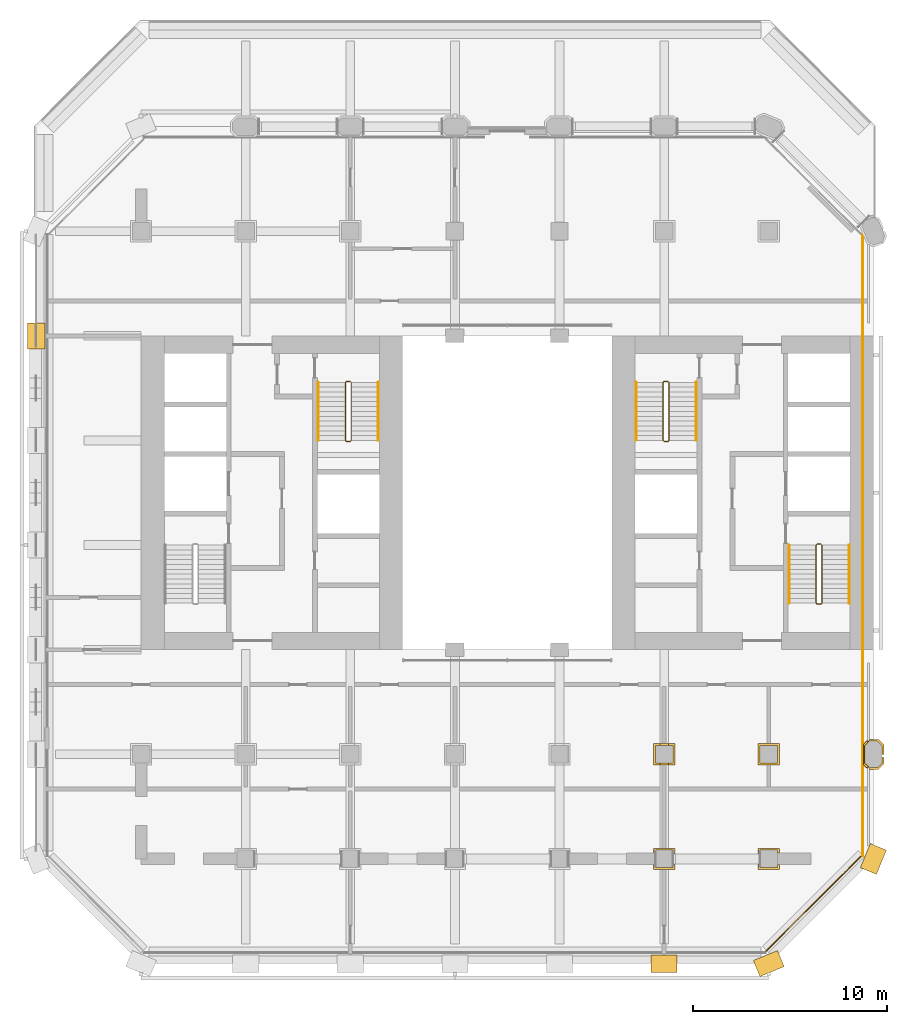
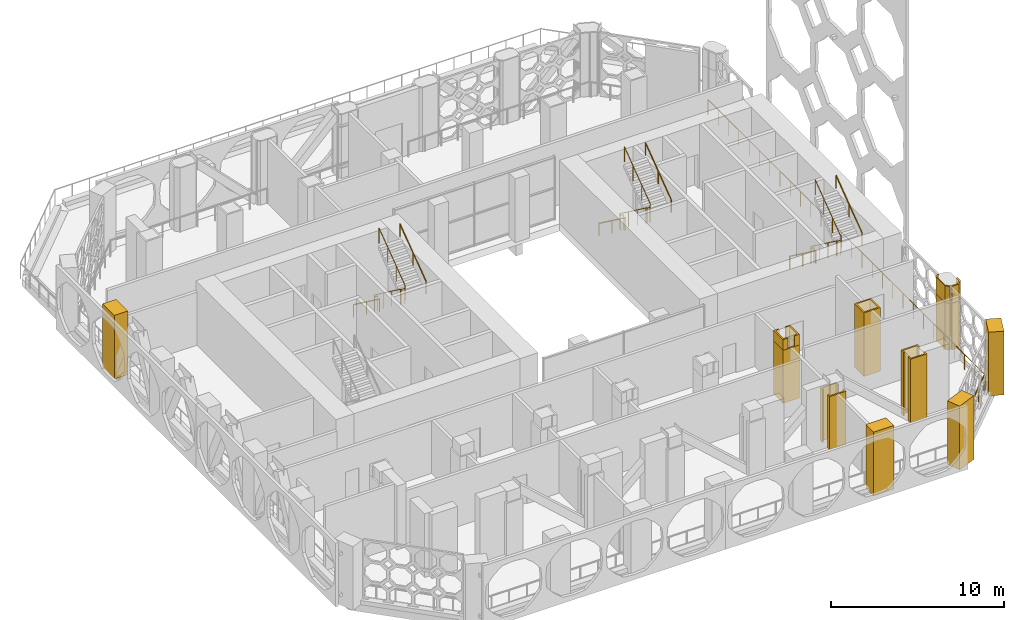
# One storey, part 15 of 17: 17 coverings, 11 railings.
"""IFC4 building model written with IfcOpenShell, lengths in metres."""

from ifc_helpers import new_model, si_unit, direction, frame, frame_2d, origin, origin_2d, place, context, subcontext, project, spatial, polyline, rectangle, circle, outline, extrude, material, layer, layer_set, type_object, element, save


model = new_model("IFC4")

# Units and contexts
model_context = context("Model", 3, precision=1e-05, world=origin(), true_north=direction((0.0, 1.0)))
body_context = subcontext(model_context, "Body", "Model", "MODEL_VIEW")
ifc_project = project(units=[si_unit("LENGTHUNIT", "METRE"), si_unit("AREAUNIT", "SQUARE_METRE"), si_unit("VOLUMEUNIT", "CUBIC_METRE"), si_unit("PLANEANGLEUNIT", "RADIAN"), si_unit("MASSUNIT", "GRAM", prefix="KILO")], contexts=[model_context])

# Site, building, storey
site_placement = place(None, origin())
site = spatial("IfcSite", under=ifc_project, at=site_placement, CompositionType="ELEMENT")
building_placement = place(site_placement, origin())
building = spatial("IfcBuilding", under=site, at=building_placement, Name="Tabaq Tower and Sports Hall", CompositionType="ELEMENT")
storey_placement = place(building_placement, frame((0.0, 0.0, 125.800048828125)))
storey = spatial("IfcBuildingStorey", under=building, at=storey_placement, Name="L30", CompositionType="ELEMENT", Elevation=125.800048828125)

# Coverings
ifc_material_1 = material(Name="Precast concrete C60/75", Category="concrete")
ifc_layer = layer(ifc_material_1, 0.10009765625)
ifc_layer_set = layer_set([ifc_layer], Name="Column cladding 100")
covering_type_1 = type_object("IfcCoveringType", Name="Column cladding 100", PredefinedType="CLADDING", material=ifc_layer_set)
covering_1_placement = place(storey_placement, origin())
element("IfcCovering", 1, at=covering_1_placement, inside=storey, type_object=covering_type_1, Name="Column cladding L30 CC-7B-S1", PredefinedType="CLADDING", context=body_context, shape_type="SweptSolid", body=[
    extrude(outline(polyline([(32.94970703125, 4.850341796875), (31.850341796875, 4.850341796875), (31.850341796875, 5.099609375), (31.934814453125, 5.099609375), (31.934814453125, 4.999755859375), (31.94970703125, 4.999755859375), (31.94970703125, 4.94970703125), (32.850341796875, 4.94970703125), (32.850341796875, 4.999755859375), (32.865234375, 4.999755859375), (32.865234375, 5.149658203125), (32.94970703125, 5.149658203125), (32.94970703125, 4.850341796875)])), origin(), (0.0, 0.0, 1.0), 3.75),
])
covering_2_placement = place(storey_placement, origin())
element("IfcCovering", 2, at=covering_2_placement, inside=storey, type_object=covering_type_1, Name="Column cladding L30 CC-7B-S1 2", PredefinedType="CLADDING", context=body_context, shape_type="SweptSolid", body=[
    extrude(outline(polyline([(32.94970703125, 5.94970703125), (32.94970703125, 5.650390625), (32.865234375, 5.650390625), (32.865234375, 5.80029296875), (32.850341796875, 5.80029296875), (32.850341796875, 5.850341796875), (31.94970703125, 5.850341796875), (31.94970703125, 5.80029296875), (31.934814453125, 5.80029296875), (31.934814453125, 5.7001953125), (31.850341796875, 5.7001953125), (31.850341796875, 5.94970703125), (32.94970703125, 5.94970703125)])), origin(), (0.0, 0.0, 1.0), 3.75),
])
covering_3_placement = place(storey_placement, origin())
element("IfcCovering", 3, at=covering_3_placement, inside=storey, type_object=covering_type_1, Name="Column cladding L30 CC-7C-S1", PredefinedType="CLADDING", context=body_context, shape_type="SweptSolid", body=[
    extrude(outline(polyline([(31.850341796875, 11.349609375), (32.94970703125, 11.349609375), (32.94970703125, 10.250244140625), (31.850341796875, 10.250244140625), (31.850341796875, 11.349609375)]), holes=[polyline([(32.850341796875, 10.349609375), (32.850341796875, 11.250244140625), (31.94970703125, 11.250244140625), (31.94970703125, 10.349609375), (32.850341796875, 10.349609375)])]), origin(), (0.0, 0.0, 1.0), 3.75),
])
covering_4_placement = place(storey_placement, frame((0.0, 0.0, 3.75)))
element("IfcCovering", 4, at=covering_4_placement, inside=storey, type_object=covering_type_1, Name="Column cladding L30 CC-7C-S1 head", PredefinedType="CLADDING", context=body_context, shape_type="SweptSolid", body=[
    extrude(outline(polyline([(32.62548828125, 10.349365234375), (32.8505859375, 10.349365234375), (32.8505859375, 11.25048828125), (32.62548828125, 11.25048828125), (32.62548828125, 11.349365234375), (32.949462890625, 11.349365234375), (32.949462890625, 10.25048828125), (32.62548828125, 10.25048828125), (32.62548828125, 10.349365234375)])), origin(), (0.0, 0.0, 1.0), 0.75),
])
covering_5_placement = place(storey_placement, frame((0.0, 0.0, 3.75)))
element("IfcCovering", 5, at=covering_5_placement, inside=storey, type_object=covering_type_1, Name="Column cladding L30 CC-7C-S1 head 2", PredefinedType="CLADDING", context=body_context, shape_type="SweptSolid", body=[
    extrude(outline(polyline([(32.17431640625, 10.349365234375), (32.17431640625, 10.25048828125), (31.8505859375, 10.25048828125), (31.8505859375, 11.349365234375), (32.17431640625, 11.349365234375), (32.17431640625, 11.25048828125), (31.949462890625, 11.25048828125), (31.949462890625, 10.349365234375), (32.17431640625, 10.349365234375)])), origin(), (0.0, 0.0, 1.0), 0.75),
])
covering_6_placement = place(storey_placement, origin())
element("IfcCovering", 6, at=covering_6_placement, inside=storey, type_object=covering_type_1, Name="Column cladding L30 CC-8B-S1", PredefinedType="CLADDING", context=body_context, shape_type="SweptSolid", body=[
    extrude(outline(polyline([(38.349609375, 4.850341796875), (37.250244140625, 4.850341796875), (37.250244140625, 5.149658203125), (37.334716796875, 5.149658203125), (37.334716796875, 4.999755859375), (37.349609375, 4.999755859375), (37.349609375, 4.94970703125), (38.250244140625, 4.94970703125), (38.250244140625, 5.099609375), (38.349609375, 5.099609375), (38.349609375, 4.850341796875)])), origin(), (0.0, 0.0, 1.0), 4.5),
])
covering_7_placement = place(storey_placement, origin())
element("IfcCovering", 7, at=covering_7_placement, inside=storey, type_object=covering_type_1, Name="Column cladding L30 CC-8B-S1 2", PredefinedType="CLADDING", context=body_context, shape_type="SweptSolid", body=[
    extrude(outline(polyline([(38.349609375, 5.94970703125), (38.349609375, 5.7001953125), (38.250244140625, 5.7001953125), (38.250244140625, 5.850341796875), (37.349609375, 5.850341796875), (37.349609375, 5.80029296875), (37.334716796875, 5.80029296875), (37.334716796875, 5.650390625), (37.250244140625, 5.650390625), (37.250244140625, 5.94970703125), (38.349609375, 5.94970703125)])), origin(), (0.0, 0.0, 1.0), 4.5),
])
covering_8_placement = place(storey_placement, origin())
element("IfcCovering", 8, at=covering_8_placement, inside=storey, type_object=covering_type_1, Name="Column cladding L30 CC-8C-S1", PredefinedType="CLADDING", context=body_context, shape_type="SweptSolid", body=[
    extrude(outline(polyline([(37.250244140625, 11.349609375), (38.349609375, 11.349609375), (38.349609375, 10.250244140625), (37.250244140625, 10.250244140625), (37.250244140625, 11.349609375)]), holes=[polyline([(38.250244140625, 10.349609375), (38.250244140625, 11.250244140625), (37.349609375, 11.250244140625), (37.349609375, 10.349609375), (38.250244140625, 10.349609375)])]), origin(), (0.0, 0.0, 1.0), 4.5),
])
covering_9_placement = place(storey_placement, origin())
element("IfcCovering", 9, at=covering_9_placement, inside=storey, type_object=covering_type_1, Name="Column cladding L30 PC-9C-S1", PredefinedType="CLADDING", context=body_context, shape_type="SweptSolid", body=[
    extrude(outline(polyline([(43.46630859375, 11.57470703125), (43.749755859375, 11.291259765625), (43.749755859375, 10.80029296875), (43.650390625, 10.80029296875), (43.650390625, 11.250244140625), (43.425048828125, 11.475341796875), (43.01025390625, 11.475341796875), (43.01025390625, 11.57470703125), (43.46630859375, 11.57470703125)])), origin(), (0.0, 0.0, 1.0), 3.300048828125),
])
covering_10_placement = place(storey_placement, origin())
element("IfcCovering", 10, at=covering_10_placement, inside=storey, type_object=covering_type_1, Name="Column cladding L30 PC-9C-S1 2", PredefinedType="CLADDING", context=body_context, shape_type="SweptSolid", body=[
    extrude(outline(polyline([(42.690185546875, 10.268798828125), (42.690185546875, 11.331298828125), (42.8896484375, 11.53076171875), (42.8896484375, 11.474609375), (42.974365234375, 11.474609375), (42.749755859375, 11.250244140625), (42.749755859375, 10.349853515625), (42.974365234375, 10.125244140625), (42.8896484375, 10.125244140625), (42.8896484375, 10.0693359375), (42.690185546875, 10.268798828125)])), origin(), (0.0, 0.0, 1.0), 3.300048828125),
])
covering_11_placement = place(storey_placement, origin())
element("IfcCovering", 11, at=covering_11_placement, inside=storey, type_object=covering_type_1, Name="Column cladding L30 PC-9C-S1 3", PredefinedType="CLADDING", context=body_context, shape_type="SweptSolid", body=[
    extrude(outline(polyline([(43.01025390625, 10.025390625), (43.01025390625, 10.124755859375), (43.425048828125, 10.124755859375), (43.650390625, 10.349853515625), (43.650390625, 10.649658203125), (43.749755859375, 10.64453125), (43.749755859375, 10.30859375), (43.46630859375, 10.025390625), (43.01025390625, 10.025390625)])), origin(), (0.0, 0.0, 1.0), 3.300048828125),
])
covering_12_placement = place(storey_placement, frame((0.0, 0.0, 3.300048828125)))
element("IfcCovering", 12, at=covering_12_placement, inside=storey, type_object=covering_type_1, Name="Column cladding L30 PC-9C-S1 head", PredefinedType="CLADDING", context=body_context, shape_type="SweptSolid", body=[
    extrude(outline(polyline([(42.690185546875, 11.331298828125), (42.8896484375, 11.53076171875), (42.8896484375, 11.474609375), (42.974365234375, 11.474609375), (42.749755859375, 11.250244140625), (42.749755859375, 10.349853515625), (42.974365234375, 10.125244140625), (42.8896484375, 10.125244140625), (42.8896484375, 10.0693359375), (42.690185546875, 10.268798828125), (42.690185546875, 11.331298828125)])), origin(), (0.0, 0.0, 1.0), 1.199951171875),
])
covering_13_placement = place(storey_placement, frame((0.0, 0.0, 3.300048828125)))
element("IfcCovering", 13, at=covering_13_placement, inside=storey, type_object=covering_type_1, Name="Column cladding L30 PC-9C-S1 head 2", PredefinedType="CLADDING", context=body_context, shape_type="SweptSolid", body=[
    extrude(outline(polyline([(43.01025390625, 10.124755859375), (43.425048828125, 10.124755859375), (43.650390625, 10.349853515625), (43.650390625, 10.649658203125), (43.749755859375, 10.64453125), (43.749755859375, 10.30859375), (43.46630859375, 10.025390625), (43.01025390625, 10.025390625), (43.01025390625, 10.124755859375)])), origin(), (0.0, 0.0, 1.0), 1.199951171875),
])

# Railings
ifc_material_2 = material(Name="Stainless steel S316 and laminated glass", Category="steel")
railing_type_1 = type_object("IfcRailingType", Name="Guard 1100 steel and glass", PredefinedType="GUARDRAIL", material=ifc_material_2)
railing_1_placement = place(storey_placement, frame((37.671142578125, 0.64892578125, 0.0)))
element("IfcRailing", 14, at=railing_1_placement, inside=storey, type_object=railing_type_1, Name="Guard L30 SE", PredefinedType="GUARDRAIL", context=body_context, shape_type="SweptSolid", body=[
    extrude(circle(Radius=0.02490234375, at=origin_2d()), frame((0.0, 0.0, 1.0751953125), z_axis=(0.707106781187, 0.707106781187, 0.0), x_axis=(-0.707106781187, 0.707106781187, 0.0)), (0.0, 0.0, 1.0), 6.901123046875),
    extrude(circle(Radius=0.02001953125, at=origin_2d()), origin(), (0.0, 0.0, 1.0), 1.050048828125),
    extrude(circle(Radius=0.02001953125, at=origin_2d()), frame((0.813232421875, 0.813232421875, 0.0)), (0.0, 0.0, 1.0), 1.050048828125),
    extrude(circle(Radius=0.02001953125, at=origin_2d()), frame((1.626708984375, 1.626708984375, 0.0)), (0.0, 0.0, 1.0), 1.050048828125),
    extrude(circle(Radius=0.02001953125, at=origin_2d()), frame((2.43994140625, 2.43994140625, 0.0)), (0.0, 0.0, 1.0), 1.050048828125),
    extrude(circle(Radius=0.02001953125, at=origin_2d()), frame((3.253173828125, 3.253173828125, 0.0)), (0.0, 0.0, 1.0), 1.050048828125),
    extrude(circle(Radius=0.02001953125, at=origin_2d()), frame((4.066650390625, 4.066650390625, 0.0)), (0.0, 0.0, 1.0), 1.050048828125),
    extrude(circle(Radius=0.02001953125, at=origin_2d()), frame((4.8798828125, 4.8798828125, 0.0)), (0.0, 0.0, 1.0), 1.050048828125),
])
railing_2_placement = place(storey_placement, frame((42.64990234375, 5.565673828125, 0.0)))
element("IfcRailing", 15, at=railing_2_placement, inside=storey, type_object=railing_type_1, Name="Guard L30 E", PredefinedType="GUARDRAIL", context=body_context, shape_type="SweptSolid", body=[
    extrude(circle(Radius=0.02490234375, at=origin_2d()), frame((0.0, 0.0, 1.0751953125), z_axis=(0.0, 1.0, 0.0), x_axis=(-1.0, 0.0, 0.0)), (0.0, 0.0, 1.0), 32.068603515625),
    extrude(circle(Radius=0.02001953125, at=origin_2d()), origin(), (0.0, 0.0, 1.0), 1.050048828125),
    extrude(circle(Radius=0.02001953125, at=origin_2d()), frame((0.0, 1.187744140625, 0.0)), (0.0, 0.0, 1.0), 1.050048828125),
    extrude(circle(Radius=0.02001953125, at=origin_2d()), frame((0.0, 2.37548828125, 0.0)), (0.0, 0.0, 1.0), 1.050048828125),
    extrude(circle(Radius=0.02001953125, at=origin_2d()), frame((0.0, 3.563232421875, 0.0)), (0.0, 0.0, 1.0), 1.050048828125),
    extrude(circle(Radius=0.02001953125, at=origin_2d()), frame((0.0, 4.7509765625, 0.0)), (0.0, 0.0, 1.0), 1.050048828125),
    extrude(circle(Radius=0.02001953125, at=origin_2d()), frame((0.0, 5.938720703125, 0.0)), (0.0, 0.0, 1.0), 1.050048828125),
    extrude(circle(Radius=0.02001953125, at=origin_2d()), frame((0.0, 7.12646484375, 0.0)), (0.0, 0.0, 1.0), 1.050048828125),
    extrude(circle(Radius=0.02001953125, at=origin_2d()), frame((0.0, 8.31396484375, 0.0)), (0.0, 0.0, 1.0), 1.050048828125),
    extrude(circle(Radius=0.02001953125, at=origin_2d()), frame((0.0, 9.501708984375, 0.0)), (0.0, 0.0, 1.0), 1.050048828125),
    extrude(circle(Radius=0.02001953125, at=origin_2d()), frame((0.0, 10.689453125, 0.0)), (0.0, 0.0, 1.0), 1.050048828125),
    extrude(circle(Radius=0.02001953125, at=origin_2d()), frame((0.0, 11.877197265625, 0.0)), (0.0, 0.0, 1.0), 1.050048828125),
    extrude(circle(Radius=0.02001953125, at=origin_2d()), frame((0.0, 13.06494140625, 0.0)), (0.0, 0.0, 1.0), 1.050048828125),
    extrude(circle(Radius=0.02001953125, at=origin_2d()), frame((0.0, 14.252685546875, 0.0)), (0.0, 0.0, 1.0), 1.050048828125),
    extrude(circle(Radius=0.02001953125, at=origin_2d()), frame((0.0, 15.4404296875, 0.0)), (0.0, 0.0, 1.0), 1.050048828125),
    extrude(circle(Radius=0.02001953125, at=origin_2d()), frame((0.0, 16.628173828125, 0.0)), (0.0, 0.0, 1.0), 1.050048828125),
    extrude(circle(Radius=0.02001953125, at=origin_2d()), frame((0.0, 17.81591796875, 0.0)), (0.0, 0.0, 1.0), 1.050048828125),
    extrude(circle(Radius=0.02001953125, at=origin_2d()), frame((0.0, 19.003662109375, 0.0)), (0.0, 0.0, 1.0), 1.050048828125),
    extrude(circle(Radius=0.02001953125, at=origin_2d()), frame((0.0, 20.19140625, 0.0)), (0.0, 0.0, 1.0), 1.050048828125),
    extrude(circle(Radius=0.02001953125, at=origin_2d()), frame((0.0, 21.379150390625, 0.0)), (0.0, 0.0, 1.0), 1.050048828125),
    extrude(circle(Radius=0.02001953125, at=origin_2d()), frame((0.0, 22.56689453125, 0.0)), (0.0, 0.0, 1.0), 1.050048828125),
    extrude(circle(Radius=0.02001953125, at=origin_2d()), frame((0.0, 23.754638671875, 0.0)), (0.0, 0.0, 1.0), 1.050048828125),
    extrude(circle(Radius=0.02001953125, at=origin_2d()), frame((0.0, 24.942138671875, 0.0)), (0.0, 0.0, 1.0), 1.050048828125),
    extrude(circle(Radius=0.02001953125, at=origin_2d()), frame((0.0, 26.1298828125, 0.0)), (0.0, 0.0, 1.0), 1.050048828125),
    extrude(circle(Radius=0.02001953125, at=origin_2d()), frame((0.0, 27.317626953125, 0.0)), (0.0, 0.0, 1.0), 1.050048828125),
    extrude(circle(Radius=0.02001953125, at=origin_2d()), frame((0.0, 28.50537109375, 0.0)), (0.0, 0.0, 1.0), 1.050048828125),
    extrude(circle(Radius=0.02001953125, at=origin_2d()), frame((0.0, 29.693115234375, 0.0)), (0.0, 0.0, 1.0), 1.050048828125),
    extrude(circle(Radius=0.02001953125, at=origin_2d()), frame((0.0, 30.880859375, 0.0)), (0.0, 0.0, 1.0), 1.050048828125),
    extrude(circle(Radius=0.02001953125, at=origin_2d()), frame((0.0, 32.068603515625, 0.0)), (0.0, 0.0, 1.0), 1.050048828125),
])

# Coverings
ifc_material_3 = material(Name="White precast concrete C60/75", Category="concrete")
covering_type_2 = type_object("IfcCoveringType", Name="Pier cladding hung 1350x900", PredefinedType="CLADDING", material=ifc_material_3)
for number, where, z_axis, x_axis, name in (
    (16, (0.0, 33.074951171875, 0.0), (0.0, 0.0, 1.0), (0.0, -1.0, 0.0), "Hung pier cladding 0/6"),
    (17, (31.72509765625, 0.0, 0.0), (0.0, 0.0, 1.0), (1.0, 0.0, 0.0), "Hung pier cladding 6/0"),
):
    element("IfcCovering", number, at=place(storey_placement, frame(where, z_axis=z_axis, x_axis=x_axis)), inside=storey, type_object=covering_type_2, Name=name, PredefinedType="CLADDING", context=body_context, shape_type="SweptSolid", body=[
        extrude(rectangle(XDim=1.349853515625, YDim=0.89990234375, at=frame_2d((0.6748046875, 0.0))), origin(), (0.0, 0.0, 1.0), 4.5),
    ])
for number, where, z_axis, x_axis, name in (
    (18, (37.17626953125, -0.25830078125, 0.0), (0.0, 0.0, 1.0), (0.923893411637, 0.382649923473, 0.0), "Hung pier cladding 7/0"),
    (19, (42.941650390625, 4.7763671875, 0.0), (0.0, 0.0, 1.0), (0.382649923473, 0.923893411637, 0.0), "Hung pier cladding 8/1"),
):
    element("IfcCovering", number, at=place(storey_placement, frame(where, z_axis=z_axis, x_axis=x_axis)), inside=storey, type_object=covering_type_2, Name=name, PredefinedType="CLADDING", context=body_context, shape_type="SweptSolid", body=[
        extrude(rectangle(XDim=1.35009765625, YDim=0.89990234375, at=frame_2d((0.675048828125, 0.0))), origin(), (0.0, 0.0, 1.0), 4.5),
    ])

# Railings
ifc_material_4 = material(Name="Stainless steel", Category="steel")
railing_type_2 = type_object("IfcRailingType", Name="Stair guard", PredefinedType="GUARDRAIL", material=ifc_material_4)
railing_3_placement = place(storey_placement, frame((16.199951171875, 30.050048828125, 0.0)))
element("IfcRailing", 20, at=railing_3_placement, inside=storey, type_object=railing_type_2, Name="L30 ST2 stair guard 1", PredefinedType="GUARDRAIL", context=body_context, shape_type="SweptSolid", body=[
    extrude(circle(Radius=0.02392578125, at=origin_2d()), frame((0.0, 0.0, 1.076171875), z_axis=(-1.0, 0.0, 0.0), x_axis=(0.0, -1.0, 0.0)), (0.0, 0.0, 1.0), 0.199951171875),
    extrude(circle(Radius=0.02392578125, at=origin_2d()), frame((-0.199951171875, 0.0, 1.076171875), z_axis=(-0.253185614162, -0.253185614162, 0.933699142959), x_axis=(0.707106781187, -0.707106781187, 0.0)), (0.0, 0.0, 1.0), 0.19775390625),
    extrude(circle(Radius=0.02392578125, at=origin_2d()), frame((-0.25, -0.050048828125, 1.2607421875), z_axis=(0.0, -0.804440004972, 0.594033903411), x_axis=(1.0, 0.0, 0.0)), (0.0, 0.0, 1.0), 3.729248046875),
    extrude(circle(Radius=0.02392578125, at=origin_2d()), frame((-0.25, -3.050048828125, 3.47607421875), z_axis=(0.707106781187, -0.707106781187, 0.0), x_axis=(0.707106781187, 0.707106781187, 0.0)), (0.0, 0.0, 1.0), 0.07080078125),
    extrude(circle(Radius=0.02392578125, at=origin_2d()), frame((-0.199951171875, -3.10009765625, 3.47607421875), z_axis=(1.0, 0.0, 0.0), x_axis=(0.0, 1.0, 0.0)), (0.0, 0.0, 1.0), 0.199951171875),
    extrude(circle(Radius=0.02392578125, at=origin_2d()), frame((0.0, -3.10009765625, 3.47607421875), z_axis=(0.253185614162, 0.253185614162, 0.933699142959), x_axis=(-0.707106781187, 0.707106781187, 0.0)), (0.0, 0.0, 1.0), 0.19775390625),
    extrude(circle(Radius=0.02392578125, at=origin_2d()), frame((0.050048828125, -3.050048828125, 3.66064453125), z_axis=(0.0, 0.804408721428, 0.594076265214), x_axis=(-1.0, 0.0, 0.0)), (0.0, 0.0, 1.0), 3.7294921875),
    extrude(circle(Radius=0.02099609375, at=origin_2d()), origin(), (0.0, 0.0, 1.0), 1.052001953125),
    extrude(circle(Radius=0.02099609375, at=origin_2d()), frame((-0.199951171875, 0.0, 0.0)), (0.0, 0.0, 1.0), 1.052001953125),
    extrude(circle(Radius=0.02099609375, at=origin_2d()), frame((-0.25, -0.050048828125, 0.1845703125)), (0.0, 0.0, 1.0), 1.052001953125),
    extrude(circle(Radius=0.02099609375, at=origin_2d()), frame((-0.25, -1.050048828125, 0.923095703125)), (0.0, 0.0, 1.0), 1.052001953125),
    extrude(circle(Radius=0.02099609375, at=origin_2d()), frame((-0.25, -2.050048828125, 1.661376953125)), (0.0, 0.0, 1.0), 1.052001953125),
    extrude(circle(Radius=0.02099609375, at=origin_2d()), frame((-0.25, -3.050048828125, 2.39990234375)), (0.0, 0.0, 1.0), 1.052001953125),
    extrude(circle(Radius=0.02099609375, at=origin_2d()), frame((-0.199951171875, -3.10009765625, 2.39990234375)), (0.0, 0.0, 1.0), 1.052001953125),
    extrude(circle(Radius=0.02099609375, at=origin_2d()), frame((0.0, -3.10009765625, 2.39990234375)), (0.0, 0.0, 1.0), 1.052001953125),
    extrude(circle(Radius=0.02099609375, at=origin_2d()), frame((0.050048828125, -3.050048828125, 2.58447265625)), (0.0, 0.0, 1.0), 1.052001953125),
    extrude(circle(Radius=0.02099609375, at=origin_2d()), frame((0.050048828125, -2.050048828125, 3.322998046875)), (0.0, 0.0, 1.0), 1.052001953125),
    extrude(circle(Radius=0.02099609375, at=origin_2d()), frame((0.050048828125, -1.050048828125, 4.0615234375)), (0.0, 0.0, 1.0), 1.052001953125),
    extrude(circle(Radius=0.02099609375, at=origin_2d()), frame((0.050048828125, -0.050048828125, 4.800048828125)), (0.0, 0.0, 1.0), 1.052001953125),
])
railing_4_placement = place(storey_placement, frame((40.5, 21.64990234375, 0.0)))
element("IfcRailing", 21, at=railing_4_placement, inside=storey, type_object=railing_type_2, Name="L30 ST3 stair guard 1", PredefinedType="GUARDRAIL", context=body_context, shape_type="SweptSolid", body=[
    extrude(circle(Radius=0.02392578125, at=origin_2d()), frame((0.0, 0.0, 1.076171875), z_axis=(-1.0, 0.0, 0.0), x_axis=(0.0, -1.0, 0.0)), (0.0, 0.0, 1.0), 0.199951171875),
    extrude(circle(Radius=0.02392578125, at=origin_2d()), frame((-0.199951171875, 0.0, 1.076171875), z_axis=(-0.253264628505, -0.252029191293, 0.933990532438), x_axis=(0.705375805398, -0.708833529934, 0.0)), (0.0, 0.0, 1.0), 0.197509765625),
    extrude(circle(Radius=0.02392578125, at=origin_2d()), frame((-0.25, -0.0498046875, 1.2607421875), z_axis=(0.0, -0.804440004972, 0.594033903411), x_axis=(1.0, 0.0, 0.0)), (0.0, 0.0, 1.0), 3.729248046875),
    extrude(circle(Radius=0.02392578125, at=origin_2d()), frame((-0.25, -3.0498046875, 3.47607421875), z_axis=(0.707106781187, -0.707106781187, 0.0), x_axis=(0.707106781187, 0.707106781187, 0.0)), (0.0, 0.0, 1.0), 0.07080078125),
    extrude(circle(Radius=0.02392578125, at=origin_2d()), frame((-0.199951171875, -3.099853515625, 3.47607421875), z_axis=(1.0, 0.0, 0.0), x_axis=(0.0, 1.0, 0.0)), (0.0, 0.0, 1.0), 0.199951171875),
    extrude(circle(Radius=0.02392578125, at=origin_2d()), frame((0.0, -3.099853515625, 3.47607421875), z_axis=(0.253185614162, 0.253185614162, 0.933699142959), x_axis=(-0.707106781187, 0.707106781187, 0.0)), (0.0, 0.0, 1.0), 0.19775390625),
    extrude(circle(Radius=0.02392578125, at=origin_2d()), frame((0.050048828125, -3.0498046875, 3.66064453125), z_axis=(0.0, 0.804408721428, 0.594076265214), x_axis=(-1.0, 0.0, 0.0)), (0.0, 0.0, 1.0), 3.7294921875),
    extrude(circle(Radius=0.02099609375, at=origin_2d()), origin(), (0.0, 0.0, 1.0), 1.052001953125),
    extrude(circle(Radius=0.02099609375, at=origin_2d()), frame((-0.199951171875, 0.0, 0.0)), (0.0, 0.0, 1.0), 1.052001953125),
    extrude(circle(Radius=0.02099609375, at=origin_2d()), frame((-0.25, -0.0498046875, 0.1845703125)), (0.0, 0.0, 1.0), 1.052001953125),
    extrude(circle(Radius=0.02099609375, at=origin_2d()), frame((-0.25, -1.0498046875, 0.923095703125)), (0.0, 0.0, 1.0), 1.052001953125),
    extrude(circle(Radius=0.02099609375, at=origin_2d()), frame((-0.25, -2.0498046875, 1.661376953125)), (0.0, 0.0, 1.0), 1.052001953125),
    extrude(circle(Radius=0.02099609375, at=origin_2d()), frame((-0.25, -3.0498046875, 2.39990234375)), (0.0, 0.0, 1.0), 1.052001953125),
    extrude(circle(Radius=0.02099609375, at=origin_2d()), frame((-0.199951171875, -3.099853515625, 2.39990234375)), (0.0, 0.0, 1.0), 1.052001953125),
    extrude(circle(Radius=0.02099609375, at=origin_2d()), frame((0.0, -3.099853515625, 2.39990234375)), (0.0, 0.0, 1.0), 1.052001953125),
    extrude(circle(Radius=0.02099609375, at=origin_2d()), frame((0.050048828125, -3.0498046875, 2.58447265625)), (0.0, 0.0, 1.0), 1.052001953125),
    extrude(circle(Radius=0.02099609375, at=origin_2d()), frame((0.050048828125, -2.0498046875, 3.322998046875)), (0.0, 0.0, 1.0), 1.052001953125),
    extrude(circle(Radius=0.02099609375, at=origin_2d()), frame((0.050048828125, -1.0498046875, 4.0615234375)), (0.0, 0.0, 1.0), 1.052001953125),
    extrude(circle(Radius=0.02099609375, at=origin_2d()), frame((0.050048828125, -0.0498046875, 4.800048828125)), (0.0, 0.0, 1.0), 1.052001953125),
])
railing_5_placement = place(storey_placement, frame((32.60009765625, 30.050048828125, 0.0)))
element("IfcRailing", 22, at=railing_5_placement, inside=storey, type_object=railing_type_2, Name="L30 ST4 stair guard 1", PredefinedType="GUARDRAIL", context=body_context, shape_type="SweptSolid", body=[
    extrude(circle(Radius=0.02392578125, at=origin_2d()), frame((0.0, 0.0, 1.076171875), z_axis=(-1.0, 0.0, 0.0), x_axis=(0.0, -1.0, 0.0)), (0.0, 0.0, 1.0), 0.2001953125),
    extrude(circle(Radius=0.02392578125, at=origin_2d()), frame((-0.2001953125, 0.0, 1.076171875), z_axis=(-0.252029191293, -0.253264628505, 0.933990532438), x_axis=(0.708833529934, -0.705375805398, 0.0)), (0.0, 0.0, 1.0), 0.197509765625),
    extrude(circle(Radius=0.02392578125, at=origin_2d()), frame((-0.25, -0.050048828125, 1.2607421875), z_axis=(0.0, -0.804440004972, 0.594033903411), x_axis=(1.0, 0.0, 0.0)), (0.0, 0.0, 1.0), 3.729248046875),
    extrude(circle(Radius=0.02392578125, at=origin_2d()), frame((-0.25, -3.050048828125, 3.47607421875), z_axis=(0.705375805398, -0.708833529934, 0.0), x_axis=(0.708833529934, 0.705375805398, 0.0)), (0.0, 0.0, 1.0), 0.070556640625),
    extrude(circle(Radius=0.02392578125, at=origin_2d()), frame((-0.2001953125, -3.10009765625, 3.47607421875), z_axis=(1.0, 0.0, 0.0), x_axis=(0.0, 1.0, 0.0)), (0.0, 0.0, 1.0), 0.2001953125),
    extrude(circle(Radius=0.02392578125, at=origin_2d()), frame((0.0, -3.10009765625, 3.47607421875), z_axis=(0.252029191293, 0.253264628505, 0.933990532438), x_axis=(-0.708833529934, 0.705375805398, 0.0)), (0.0, 0.0, 1.0), 0.197509765625),
    extrude(circle(Radius=0.02392578125, at=origin_2d()), frame((0.0498046875, -3.050048828125, 3.66064453125), z_axis=(0.0, 0.804408721428, 0.594076265214), x_axis=(-1.0, 0.0, 0.0)), (0.0, 0.0, 1.0), 3.7294921875),
    extrude(circle(Radius=0.02099609375, at=origin_2d()), origin(), (0.0, 0.0, 1.0), 1.052001953125),
    extrude(circle(Radius=0.02099609375, at=origin_2d()), frame((-0.2001953125, 0.0, 0.0)), (0.0, 0.0, 1.0), 1.052001953125),
    extrude(circle(Radius=0.02099609375, at=origin_2d()), frame((-0.25, -0.050048828125, 0.1845703125)), (0.0, 0.0, 1.0), 1.052001953125),
    extrude(circle(Radius=0.02099609375, at=origin_2d()), frame((-0.25, -1.050048828125, 0.923095703125)), (0.0, 0.0, 1.0), 1.052001953125),
    extrude(circle(Radius=0.02099609375, at=origin_2d()), frame((-0.25, -2.050048828125, 1.661376953125)), (0.0, 0.0, 1.0), 1.052001953125),
    extrude(circle(Radius=0.02099609375, at=origin_2d()), frame((-0.25, -3.050048828125, 2.39990234375)), (0.0, 0.0, 1.0), 1.052001953125),
    extrude(circle(Radius=0.02099609375, at=origin_2d()), frame((-0.2001953125, -3.10009765625, 2.39990234375)), (0.0, 0.0, 1.0), 1.052001953125),
    extrude(circle(Radius=0.02099609375, at=origin_2d()), frame((0.0, -3.10009765625, 2.39990234375)), (0.0, 0.0, 1.0), 1.052001953125),
    extrude(circle(Radius=0.02099609375, at=origin_2d()), frame((0.0498046875, -3.050048828125, 2.58447265625)), (0.0, 0.0, 1.0), 1.052001953125),
    extrude(circle(Radius=0.02099609375, at=origin_2d()), frame((0.0498046875, -2.050048828125, 3.322998046875)), (0.0, 0.0, 1.0), 1.052001953125),
    extrude(circle(Radius=0.02099609375, at=origin_2d()), frame((0.0498046875, -1.050048828125, 4.0615234375)), (0.0, 0.0, 1.0), 1.052001953125),
    extrude(circle(Radius=0.02099609375, at=origin_2d()), frame((0.0498046875, -0.050048828125, 4.800048828125)), (0.0, 0.0, 1.0), 1.052001953125),
])
ifc_material_5 = material(Name="Stainless steel", Category="steel")
railing_type_3 = type_object("IfcRailingType", Name="Stair handrail", PredefinedType="HANDRAIL", material=ifc_material_5)
railing_6_placement = place(storey_placement, frame((14.550048828125, 30.0, 0.1845703125)))
element("IfcRailing", 23, at=railing_6_placement, inside=storey, type_object=railing_type_3, Name="L30 ST2 stair handrail 1", PredefinedType="HANDRAIL", context=body_context, shape_type="SweptSolid", body=[
    extrude(circle(Radius=0.02392578125, at=origin_2d()), frame((0.0, 0.0, 0.8759765625), z_axis=(0.0, -0.804440004972, 0.594033903411), x_axis=(1.0, 0.0, 0.0)), (0.0, 0.0, 1.0), 3.729248046875),
    extrude(circle(Radius=0.02099609375, at=origin_2d()), origin(), (0.0, 0.0, 1.0), 0.851806640625),
    extrude(circle(Radius=0.02099609375, at=origin_2d()), frame((0.0, -1.5, 1.107666015625)), (0.0, 0.0, 1.0), 0.851806640625),
    extrude(circle(Radius=0.02099609375, at=origin_2d()), frame((0.0, -3.0, 2.21533203125)), (0.0, 0.0, 1.0), 0.851806640625),
])
railing_7_placement = place(storey_placement, frame((17.64990234375, 27.0, 2.58447265625)))
element("IfcRailing", 24, at=railing_7_placement, inside=storey, type_object=railing_type_3, Name="L30 ST2 stair handrail 2", PredefinedType="HANDRAIL", context=body_context, shape_type="SweptSolid", body=[
    extrude(circle(Radius=0.02392578125, at=origin_2d()), frame((0.0, 0.0, 0.8759765625), z_axis=(0.0, 0.804408721428, 0.594076265214), x_axis=(-1.0, 0.0, 0.0)), (0.0, 0.0, 1.0), 3.7294921875),
    extrude(circle(Radius=0.02099609375, at=origin_2d()), origin(), (0.0, 0.0, 1.0), 0.851806640625),
    extrude(circle(Radius=0.02099609375, at=origin_2d()), frame((0.0, 1.5, 1.10791015625)), (0.0, 0.0, 1.0), 0.851806640625),
    extrude(circle(Radius=0.02099609375, at=origin_2d()), frame((0.0, 3.0, 2.215576171875)), (0.0, 0.0, 1.0), 0.851806640625),
])
railing_8_placement = place(storey_placement, frame((38.85009765625, 21.60009765625, 0.1845703125)))
element("IfcRailing", 25, at=railing_8_placement, inside=storey, type_object=railing_type_3, Name="L30 ST3 stair handrail 1", PredefinedType="HANDRAIL", context=body_context, shape_type="SweptSolid", body=[
    extrude(circle(Radius=0.02392578125, at=origin_2d()), frame((0.0, 0.0, 0.8759765625), z_axis=(0.0, -0.804440004972, 0.594033903411), x_axis=(1.0, 0.0, 0.0)), (0.0, 0.0, 1.0), 3.729248046875),
    extrude(circle(Radius=0.02099609375, at=origin_2d()), origin(), (0.0, 0.0, 1.0), 0.851806640625),
    extrude(circle(Radius=0.02099609375, at=origin_2d()), frame((0.0, -1.5, 1.107666015625)), (0.0, 0.0, 1.0), 0.851806640625),
    extrude(circle(Radius=0.02099609375, at=origin_2d()), frame((0.0, -3.0, 2.21533203125)), (0.0, 0.0, 1.0), 0.851806640625),
])
railing_9_placement = place(storey_placement, frame((41.949951171875, 18.60009765625, 2.58447265625)))
element("IfcRailing", 26, at=railing_9_placement, inside=storey, type_object=railing_type_3, Name="L30 ST3 stair handrail 2", PredefinedType="HANDRAIL", context=body_context, shape_type="SweptSolid", body=[
    extrude(circle(Radius=0.02392578125, at=origin_2d()), frame((0.0, 0.0, 0.8759765625), z_axis=(0.0, 0.804408721428, 0.594076265214), x_axis=(-1.0, 0.0, 0.0)), (0.0, 0.0, 1.0), 3.7294921875),
    extrude(circle(Radius=0.02099609375, at=origin_2d()), origin(), (0.0, 0.0, 1.0), 0.851806640625),
    extrude(circle(Radius=0.02099609375, at=origin_2d()), frame((0.0, 1.5, 1.10791015625)), (0.0, 0.0, 1.0), 0.851806640625),
    extrude(circle(Radius=0.02099609375, at=origin_2d()), frame((0.0, 3.0, 2.215576171875)), (0.0, 0.0, 1.0), 0.851806640625),
])
railing_10_placement = place(storey_placement, frame((30.949951171875, 30.0, 0.1845703125)))
element("IfcRailing", 27, at=railing_10_placement, inside=storey, type_object=railing_type_3, Name="L30 ST4 stair handrail 1", PredefinedType="HANDRAIL", context=body_context, shape_type="SweptSolid", body=[
    extrude(circle(Radius=0.02392578125, at=origin_2d()), frame((0.0, 0.0, 0.8759765625), z_axis=(0.0, -0.804440004972, 0.594033903411), x_axis=(1.0, 0.0, 0.0)), (0.0, 0.0, 1.0), 3.729248046875),
    extrude(circle(Radius=0.02099609375, at=origin_2d()), origin(), (0.0, 0.0, 1.0), 0.851806640625),
    extrude(circle(Radius=0.02099609375, at=origin_2d()), frame((0.0, -1.5, 1.107666015625)), (0.0, 0.0, 1.0), 0.851806640625),
    extrude(circle(Radius=0.02099609375, at=origin_2d()), frame((0.0, -3.0, 2.21533203125)), (0.0, 0.0, 1.0), 0.851806640625),
])
railing_11_placement = place(storey_placement, frame((34.050048828125, 27.0, 2.58447265625)))
element("IfcRailing", 28, at=railing_11_placement, inside=storey, type_object=railing_type_3, Name="L30 ST4 stair handrail 2", PredefinedType="HANDRAIL", context=body_context, shape_type="SweptSolid", body=[
    extrude(circle(Radius=0.02392578125, at=origin_2d()), frame((0.0, 0.0, 0.8759765625), z_axis=(0.0, 0.804408721428, 0.594076265214), x_axis=(-1.0, 0.0, 0.0)), (0.0, 0.0, 1.0), 3.7294921875),
    extrude(circle(Radius=0.02099609375, at=origin_2d()), origin(), (0.0, 0.0, 1.0), 0.851806640625),
    extrude(circle(Radius=0.02099609375, at=origin_2d()), frame((0.0, 1.5, 1.10791015625)), (0.0, 0.0, 1.0), 0.851806640625),
    extrude(circle(Radius=0.02099609375, at=origin_2d()), frame((0.0, 3.0, 2.215576171875)), (0.0, 0.0, 1.0), 0.851806640625),
])

save(model, "model.ifc")
